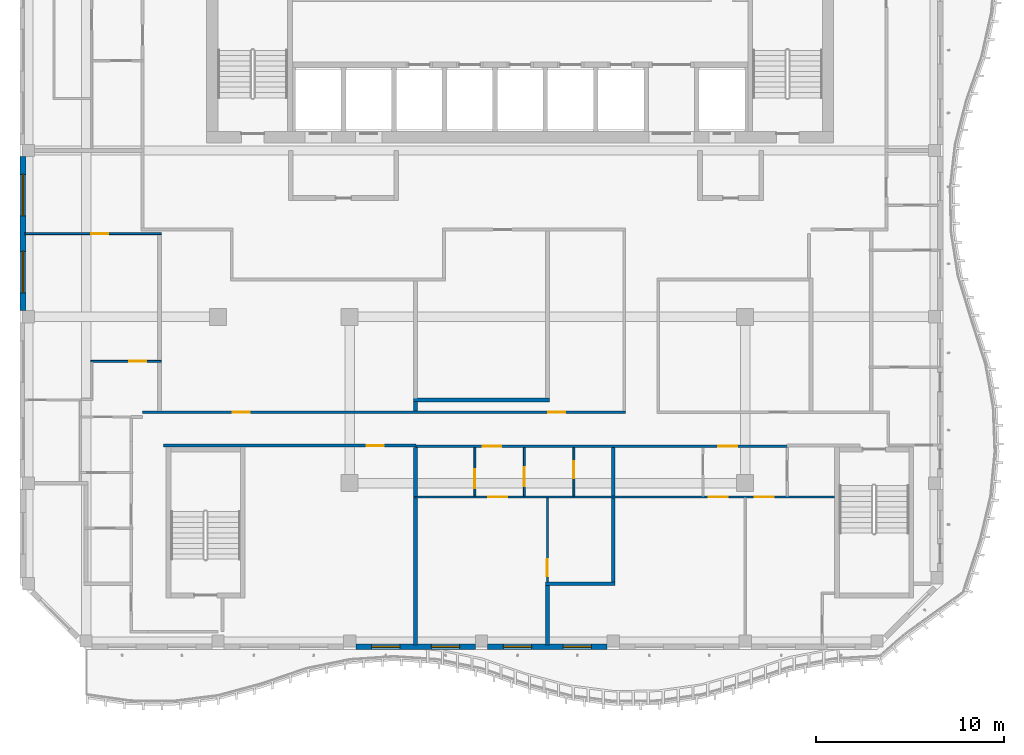
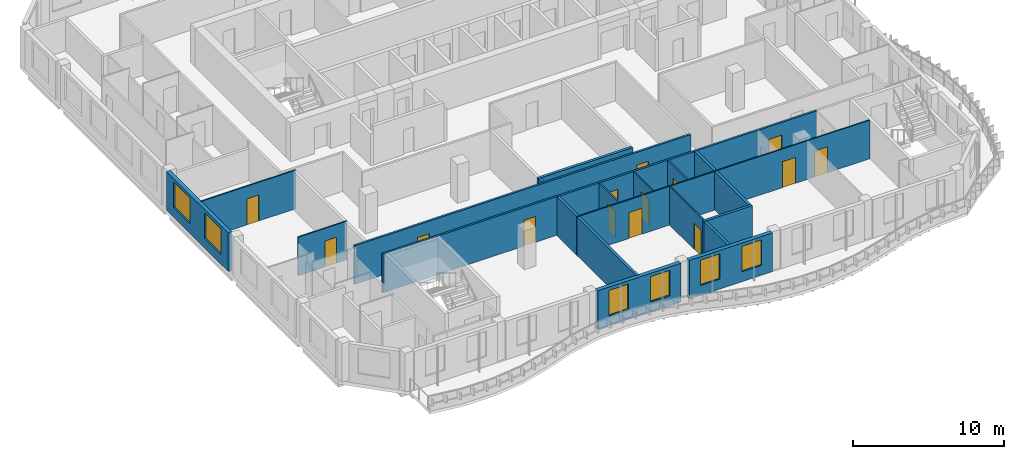
# One storey, part 3 of 17: 21 walls, 14 doors, 6 windows, 20 openings.
"""IFC4 building model written with IfcOpenShell, lengths in metres."""

import ifcopenshell
import ifcopenshell.guid

model = None  # the IFC model being written
_history = None  # IfcOwnerHistory: only IFC2X3 demands one
_inside = {}  # id of a spatial element -> (the spatial element, [elements in it])
_under = {}  # id of a project, library or spatial element -> (it, [spatial elements below it])
_declared = {}  # id of a project -> (the project, [libraries it declares])
_typed = {}  # id of a type object -> (the type object, [elements of that type])
_made_of = {}  # id of a material, layer set ... -> (it, [elements and type objects made of it])


def new_model(schema):
    """Start an empty IFC model of exactly this schema.

    Asked for "IFC4X3", IfcOpenShell would pick the latest addendum, in which some entities
    have other attributes; the version numbers below select the first issue.
    IFC2X3 requires an IfcOwnerHistory on every rooted entity: one is made here for all.
    """
    global model, _history
    if schema == "IFC4X3":
        model = ifcopenshell.file(schema_version=(4, 3, 0, 0))
    else:
        model = ifcopenshell.file(schema=schema)
    _inside.clear()
    _under.clear()
    _declared.clear()
    _typed.clear()
    _made_of.clear()
    _history = None
    if model.schema == "IFC2X3":
        org = make("IfcOrganization", Name="unknown")
        user = make(
            "IfcPersonAndOrganization",
            ThePerson=make("IfcPerson", FamilyName="unknown"),
            TheOrganization=org,
        )
        app = make(
            "IfcApplication",
            ApplicationDeveloper=org,
            Version="unknown",
            ApplicationFullName="unknown",
            ApplicationIdentifier="unknown",
        )
        _history = make(
            "IfcOwnerHistory",
            OwningUser=user,
            OwningApplication=app,
            ChangeAction="ADDED",
            CreationDate=0,
        )
    return model


def make(cls, **values):
    """One entity of the class cls with the attributes given. An attribute that is None is left unset."""
    return model.create_entity(
        cls, **{name: value for name, value in values.items() if value is not None}
    )


def rooted(cls, **values):
    """An entity with a GlobalId (a new one), such as an element, a storey or a relation."""
    return make(cls, GlobalId=ifcopenshell.guid.new(), OwnerHistory=_history, **values)


def si_unit(unit_type, name, prefix=None):
    """IfcSIUnit, for example si_unit("LENGTHUNIT", "METRE", prefix="MILLI")."""
    return make("IfcSIUnit", UnitType=unit_type, Prefix=prefix, Name=name)


def assignment(units):
    """IfcUnitAssignment: the units of a project."""
    return None if units is None else make("IfcUnitAssignment", Units=units)


def point(xyz):
    """IfcCartesianPoint."""
    return None if xyz is None else make("IfcCartesianPoint", Coordinates=xyz)


def direction(xyz):
    """IfcDirection."""
    return None if xyz is None else make("IfcDirection", DirectionRatios=xyz)


def frame(location, z_axis=None, x_axis=None):
    """IfcAxis2Placement3D, a coordinate frame: its origin and axes. An axis left out is left unset."""
    return make(
        "IfcAxis2Placement3D",
        Location=point(location),
        Axis=direction(z_axis),
        RefDirection=direction(x_axis),
    )


def frame_2d(location, x_axis=None):
    """IfcAxis2Placement2D, a coordinate frame in the plane: its origin and x axis."""
    return make(
        "IfcAxis2Placement2D", Location=point(location), RefDirection=direction(x_axis)
    )


def origin():
    """The frame at (0, 0, 0) with its axes left unset."""
    return frame((0.0, 0.0, 0.0))


def place(relative_to, where):
    """IfcLocalPlacement: puts the frame where relative to a parent placement (None: the world)."""
    return make(
        "IfcLocalPlacement", PlacementRelTo=relative_to, RelativePlacement=where
    )


def context(
    kind, dimensions, precision=None, world=None, true_north=None, identifier=None
):
    """IfcGeometricRepresentationContext, for example the 3D "Model" context."""
    return make(
        "IfcGeometricRepresentationContext",
        ContextIdentifier=identifier,
        ContextType=kind,
        CoordinateSpaceDimension=dimensions,
        Precision=precision,
        WorldCoordinateSystem=world,
        TrueNorth=true_north,
    )


def subcontext(parent, identifier, kind, view, scale=None):
    """IfcGeometricRepresentationSubContext, for example "Body" below "Model"."""
    return make(
        "IfcGeometricRepresentationSubContext",
        ContextIdentifier=identifier,
        ContextType=kind,
        ParentContext=parent,
        TargetScale=scale,
        TargetView=view,
    )


def project(units=None, contexts=None):
    """IfcProject with its units and contexts."""
    return rooted(
        "IfcProject",
        Name="project",
        RepresentationContexts=contexts,
        UnitsInContext=assignment(units),
    )


def spatial(cls, under=None, at=None, **own):
    """A site, building, storey or space (cls), placed at a placement, below another one or the project."""
    s = rooted(cls, ObjectPlacement=at, **own)
    if under is not None:
        _under.setdefault(under.id(), (under, []))[1].append(s)
    return s


def profile(cls, at=None, kind="AREA", **sizes):
    """A parametric profile (cls). Its sizes go by their IFC names, for example OverallWidth=200.0."""
    return make(cls, ProfileType=kind, Position=at, **sizes)


def rectangle(**sizes):
    """IfcRectangleProfileDef."""
    return profile("IfcRectangleProfileDef", **sizes)


def extrude(swept, where, along, depth):
    """IfcExtrudedAreaSolid: the profile swept, set in the frame where, extruded along a direction by depth."""
    return make(
        "IfcExtrudedAreaSolid",
        SweptArea=swept,
        Position=where,
        ExtrudedDirection=direction(along),
        Depth=depth,
    )


def shape(context_of_items, identifier, shape_type, items):
    """IfcShapeRepresentation: the items that make up one representation, for example the "Body"."""
    return make(
        "IfcShapeRepresentation",
        ContextOfItems=context_of_items,
        RepresentationIdentifier=identifier,
        RepresentationType=shape_type,
        Items=items,
    )


def source(mapping_origin, context_of_items, identifier, shape_type, items):
    """IfcRepresentationMap: a shape defined once, which mapped items show again and again."""
    return make(
        "IfcRepresentationMap",
        MappingOrigin=mapping_origin,
        MappedRepresentation=shape(context_of_items, identifier, shape_type, items),
    )


def transform(
    local_origin,
    x_axis=None,
    y_axis=None,
    z_axis=None,
    scale=None,
    scale2=None,
    scale3=None,
    uniform=True,
):
    """IfcCartesianTransformationOperator3D, or its non-uniform kind. x_axis, y_axis, z_axis: its Axis1, 2, 3."""
    if uniform:
        return make(
            "IfcCartesianTransformationOperator3D",
            Axis1=direction(x_axis),
            Axis2=direction(y_axis),
            LocalOrigin=point(local_origin),
            Scale=scale,
            Axis3=direction(z_axis),
        )
    return make(
        "IfcCartesianTransformationOperator3DnonUniform",
        Axis1=direction(x_axis),
        Axis2=direction(y_axis),
        LocalOrigin=point(local_origin),
        Scale=scale,
        Axis3=direction(z_axis),
        Scale2=scale2,
        Scale3=scale3,
    )


def mapped(mapping_source, mapping_target):
    """IfcMappedItem: shows the shape of a source again, moved by a transform."""
    return make(
        "IfcMappedItem", MappingSource=mapping_source, MappingTarget=mapping_target
    )


def material(Name=None, Category=None):
    """IfcMaterial."""
    return make("IfcMaterial", Name=Name, Category=Category)


def layer(
    of_material, thickness, ventilated=None, Name=None, Category=None, Priority=None
):
    """IfcMaterialLayer: one layer of a wall or slab, of a material (None: an air gap)."""
    return make(
        "IfcMaterialLayer",
        Material=of_material,
        LayerThickness=thickness,
        IsVentilated=ventilated,
        Name=Name,
        Category=Category,
        Priority=Priority,
    )


def layer_set(layers, Name=None):
    """IfcMaterialLayerSet."""
    return make("IfcMaterialLayerSet", MaterialLayers=layers, LayerSetName=Name)


def made_of(thing, what):
    """Note that an element or type object is made of a material, layer set ...; save() writes the relation."""
    if what is not None:
        _made_of.setdefault(what.id(), (what, []))[1].append(thing)
    return thing


def type_object(cls, material=None, **own):
    """A type object (cls), such as IfcWallType, which elements share."""
    return made_of(rooted(cls, **own), material)


def element(
    cls,
    number,
    at=None,
    inside=None,
    cuts=None,
    type_object=None,
    material=None,
    context=None,
    identifier="Body",
    shape_type=None,
    held_by="IfcProductDefinitionShape",
    body=None,
    shapes=None,
    **own,
):
    """One element of the class cls, such as IfcWall. Its Tag is "e" and its number.

    at: its placement. inside: the storey or other place that contains it. cuts: it is an
    opening in that element (IfcRelVoidsElement). A single representation is given by context,
    identifier, shape_type and body (its items); several are given by shapes. held_by: the class
    of the entity that holds the representations. save() writes the other relations.
    """
    e = rooted(cls, Tag="e%d" % number, ObjectPlacement=at, **own)
    if body is not None:
        shapes = [shape(context, identifier, shape_type, body)]
    if shapes is not None:
        e.Representation = make(held_by, Representations=shapes)
    if inside is not None:
        _inside.setdefault(inside.id(), (inside, []))[1].append(e)
    if cuts is not None:
        rooted(
            "IfcRelVoidsElement", RelatingBuildingElement=cuts, RelatedOpeningElement=e
        )
    if type_object is not None:
        _typed.setdefault(type_object.id(), (type_object, []))[1].append(e)
    return made_of(e, material)


def fill(opening, filler):
    """IfcRelFillsElement: the door or window that sits in an opening."""
    return rooted(
        "IfcRelFillsElement",
        RelatingOpeningElement=opening,
        RelatedBuildingElement=filler,
    )


def aggregate(whole, parts):
    """IfcRelAggregates: a whole, such as a stair, and the parts it consists of."""
    return rooted("IfcRelAggregates", RelatingObject=whole, RelatedObjects=parts)


def save(model, path):
    """Write the relations noted so far, then the file.

    IfcRelAggregates (storeys below a building ...), IfcRelContainedInSpatialStructure (elements
    in a storey), IfcRelDefinesByType, IfcRelAssociatesMaterial and IfcRelDeclares: one each for
    every whole, place, type object, material and project.
    """
    for whole, parts in _under.values():
        aggregate(whole, parts)
    for where, things in _inside.values():
        rooted(
            "IfcRelContainedInSpatialStructure",
            RelatedElements=things,
            RelatingStructure=where,
        )
    for kind, things in _typed.values():
        rooted("IfcRelDefinesByType", RelatedObjects=things, RelatingType=kind)
    for what, things in _made_of.values():
        rooted("IfcRelAssociatesMaterial", RelatedObjects=things, RelatingMaterial=what)
    for by, libraries in _declared.values():
        rooted("IfcRelDeclares", RelatingContext=by, RelatedDefinitions=libraries)
    model.write(path)


model = new_model("IFC4")

# Units and contexts
model_context = context("Model", 3, precision=1e-05, world=origin(), true_north=direction((0.0, 1.0)))
body_context = subcontext(model_context, "Body", "Model", "MODEL_VIEW")
ifc_project = project(units=[si_unit("LENGTHUNIT", "METRE"), si_unit("AREAUNIT", "SQUARE_METRE"), si_unit("VOLUMEUNIT", "CUBIC_METRE"), si_unit("PLANEANGLEUNIT", "RADIAN"), si_unit("MASSUNIT", "GRAM", prefix="KILO")], contexts=[model_context])

# Site, building, storey
site_placement = place(None, origin())
site = spatial("IfcSite", under=ifc_project, at=site_placement, CompositionType="ELEMENT")
building_placement = place(site_placement, origin())
building = spatial("IfcBuilding", under=site, at=building_placement, Name="Kilnfold Tower and Market Hall", CompositionType="ELEMENT")
storey_placement = place(building_placement, frame((0.0, 0.0, 273.800048828125)))
storey = spatial("IfcBuildingStorey", under=building, at=storey_placement, Name="L67", CompositionType="ELEMENT", Elevation=273.800048828125)

# Wall, openings, doors
ifc_material_1 = material(Name="Gypsum board on steel studs", Category="steel")
ifc_layer_1 = layer(ifc_material_1, 0.14990234375)
ifc_layer_set_1 = layer_set([ifc_layer_1], Name="Gypsum board on steel studs")
wall_type_1 = type_object("IfcWallType", Name="WALL CORRIDOR 150", PredefinedType="PARTITIONING", material=ifc_layer_set_1)
wall_1_placement = place(storey_placement, frame((-19.0, -5.89990234375, 0.0), z_axis=(0.0, 0.0, 1.0), x_axis=(1.0, 0.0, 0.0)))
wall_1 = element("IfcWall", 1, at=wall_1_placement, inside=storey, type_object=wall_type_1, Name="Partition LY41.6", PredefinedType="PARTITIONING", context=body_context, shape_type="SweptSolid", body=[
    extrude(rectangle(XDim=25.655029296875, YDim=0.14990234375, at=frame_2d((12.82763671875, 0.0))), origin(), (0.0, 0.0, 1.0), 3.119873046875),
])
opening_1_placement = place(wall_1_placement, frame((4.7958984375, 0.0, 0.0)))
opening_1 = element("IfcOpeningElement", 2, at=opening_1_placement, cuts=wall_1, Name="Opening D2", PredefinedType="OPENING", context=body_context, shape_type="SweptSolid", body=[
    extrude(rectangle(XDim=0.89990234375, YDim=2.10009765625, at=frame_2d((0.449951171875, 1.050048828125))), frame((0.0, 0.0849609375, 0.0), z_axis=(0.0, -1.0, 0.0), x_axis=(1.0, 0.0, 0.0)), (0.0, 0.0, 1.0), 0.169921875),
])
opening_2_placement = place(wall_1_placement, frame((21.534912109375, 0.0, 0.0)))
opening_2 = element("IfcOpeningElement", 3, at=opening_2_placement, cuts=wall_1, Name="Opening D2", PredefinedType="OPENING", context=body_context, shape_type="SweptSolid", body=[
    extrude(rectangle(XDim=0.89990234375, YDim=2.10009765625, at=frame_2d((0.449951171875, 1.050048828125))), frame((0.0, 0.0849609375, 0.0), z_axis=(0.0, -1.0, 0.0), x_axis=(1.0, 0.0, 0.0)), (0.0, 0.0, 1.0), 0.169921875),
])
ifc_material_2 = material(Name="Timber veneer door leaf in steel frame", Category="steel")
door_type_1 = type_object("IfcDoorType", Name="DOOR ROOM 900 X2100", OperationType="NOTDEFINED", PredefinedType="DOOR", material=ifc_material_2)
door_1_placement = place(opening_1_placement, origin())
door_1 = element("IfcDoor", 4, at=door_1_placement, inside=storey, type_object=door_type_1, Name="Door D2", OperationType="SINGLE_SWING_LEFT", OverallHeight=2.10009765625, OverallWidth=0.89990234375, PredefinedType="DOOR", context=body_context, shape_type="SweptSolid", body=[
    extrude(rectangle(XDim=0.89990234375, YDim=2.10009765625, at=frame_2d((0.449951171875, 1.050048828125))), frame((0.0, 0.02490234375, 0.0), z_axis=(0.0, -1.0, 0.0), x_axis=(1.0, 0.0, 0.0)), (0.0, 0.0, 1.0), 0.050048828125),
])
fill(opening_1, door_1)
door_2_placement = place(opening_2_placement, origin())
door_2 = element("IfcDoor", 5, at=door_2_placement, inside=storey, type_object=door_type_1, Name="Door D2", OperationType="SINGLE_SWING_LEFT", OverallHeight=2.10009765625, OverallWidth=0.89990234375, PredefinedType="DOOR", context=body_context, shape_type="SweptSolid", body=[
    extrude(rectangle(XDim=0.89990234375, YDim=2.10009765625, at=frame_2d((0.449951171875, 1.050048828125))), frame((0.0, 0.02490234375, 0.0), z_axis=(0.0, -1.0, 0.0), x_axis=(1.0, 0.0, 0.0)), (0.0, 0.0, 1.0), 0.050048828125),
])
fill(opening_2, door_2)

# Wall, opening, door
wall_2_placement = place(storey_placement, frame((-17.875, -7.669921875, 0.0), z_axis=(0.0, 0.0, 1.0), x_axis=(1.0, 0.0, 0.0)))
wall_2 = element("IfcWall", 6, at=wall_2_placement, inside=storey, type_object=wall_type_1, Name="Partition LY41.9", PredefinedType="PARTITIONING", context=body_context, shape_type="SweptSolid", body=[
    extrude(rectangle(XDim=13.385009765625, YDim=0.14990234375, at=frame_2d((6.6923828125, 0.0))), origin(), (0.0, 0.0, 1.0), 3.119873046875),
])
opening_3_placement = place(wall_2_placement, frame((10.77392578125, 0.0, 0.0)))
opening_3 = element("IfcOpeningElement", 7, at=opening_3_placement, cuts=wall_2, Name="Opening D2", PredefinedType="OPENING", context=body_context, shape_type="SweptSolid", body=[
    extrude(rectangle(XDim=0.89990234375, YDim=2.10009765625, at=frame_2d((0.449951171875, 1.050048828125))), frame((0.0, 0.0849609375, 0.0), z_axis=(0.0, -1.0, 0.0), x_axis=(1.0, 0.0, 0.0)), (0.0, 0.0, 1.0), 0.169921875),
])
door_3_placement = place(opening_3_placement, origin())
door_3 = element("IfcDoor", 8, at=door_3_placement, inside=storey, type_object=door_type_1, Name="Door D2", OperationType="SINGLE_SWING_RIGHT", OverallHeight=2.10009765625, OverallWidth=0.89990234375, PredefinedType="DOOR", context=body_context, shape_type="SweptSolid", body=[
    extrude(rectangle(XDim=0.89990234375, YDim=2.10009765625, at=frame_2d((0.449951171875, 1.050048828125))), frame((0.0, 0.02490234375, 0.0), z_axis=(0.0, -1.0, 0.0), x_axis=(1.0, 0.0, 0.0)), (0.0, 0.0, 1.0), 0.050048828125),
])
fill(opening_3, door_3)

# Wall, openings, doors
wall_3_placement = place(storey_placement, frame((-4.510009765625, -7.699951171875, 0.0), z_axis=(0.0, 0.0, 1.0), x_axis=(1.0, 0.0, 0.0)))
wall_3 = element("IfcWall", 9, at=wall_3_placement, inside=storey, type_object=wall_type_1, Name="Partition LY41.15", PredefinedType="PARTITIONING", context=body_context, shape_type="SweptSolid", body=[
    extrude(rectangle(XDim=19.760009765625, YDim=0.14990234375, at=frame_2d((9.8798828125, 0.0))), origin(), (0.0, 0.0, 1.0), 3.119873046875),
])
opening_4_placement = place(wall_3_placement, frame((3.56591796875, 0.0, 0.0)))
opening_4 = element("IfcOpeningElement", 10, at=opening_4_placement, cuts=wall_3, Name="Opening D1", PredefinedType="OPENING", context=body_context, shape_type="SweptSolid", body=[
    extrude(rectangle(XDim=1.0, YDim=2.10009765625, at=frame_2d((0.5, 1.050048828125))), frame((0.0, 0.0849609375, 0.0), z_axis=(0.0, -1.0, 0.0), x_axis=(1.0, 0.0, 0.0)), (0.0, 0.0, 1.0), 0.169921875),
])
opening_5_placement = place(wall_3_placement, frame((16.080078125, 0.0, 0.0)))
opening_5 = element("IfcOpeningElement", 11, at=opening_5_placement, cuts=wall_3, Name="Opening D1", PredefinedType="OPENING", context=body_context, shape_type="SweptSolid", body=[
    extrude(rectangle(XDim=1.0, YDim=2.10009765625, at=frame_2d((0.5, 1.050048828125))), frame((0.0, 0.0849609375, 0.0), z_axis=(0.0, -1.0, 0.0), x_axis=(1.0, 0.0, 0.0)), (0.0, 0.0, 1.0), 0.169921875),
])
ifc_material_3 = material(Name="Timber veneer door leaf in steel frame", Category="steel")
door_type_2 = type_object("IfcDoorType", Name="DOOR ENTRY 1000 X2100", OperationType="NOTDEFINED", PredefinedType="DOOR", material=ifc_material_3)
door_4_placement = place(opening_4_placement, origin())
door_4 = element("IfcDoor", 12, at=door_4_placement, inside=storey, type_object=door_type_2, Name="Door D1", OperationType="SINGLE_SWING_LEFT", OverallHeight=2.10009765625, OverallWidth=1.0, PredefinedType="DOOR", context=body_context, shape_type="SweptSolid", body=[
    extrude(rectangle(XDim=1.0, YDim=2.10009765625, at=frame_2d((0.5, 1.050048828125))), frame((0.0, 0.02490234375, 0.0), z_axis=(0.0, -1.0, 0.0), x_axis=(1.0, 0.0, 0.0)), (0.0, 0.0, 1.0), 0.050048828125),
])
fill(opening_4, door_4)
door_5_placement = place(opening_5_placement, origin())
door_5 = element("IfcDoor", 13, at=door_5_placement, inside=storey, type_object=door_type_2, Name="Door D1", OperationType="SINGLE_SWING_LEFT", OverallHeight=2.10009765625, OverallWidth=1.0, PredefinedType="DOOR", context=body_context, shape_type="SweptSolid", body=[
    extrude(rectangle(XDim=1.0, YDim=2.10009765625, at=frame_2d((0.5, 1.050048828125))), frame((0.0, 0.02490234375, 0.0), z_axis=(0.0, -1.0, 0.0), x_axis=(1.0, 0.0, 0.0)), (0.0, 0.0, 1.0), 0.050048828125),
])
fill(opening_5, door_5)

# Wall, opening, door
ifc_material_4 = material(Name="Gypsum board on steel studs", Category="steel")
ifc_layer_2 = layer(ifc_material_4, 0.10009765625)
ifc_layer_set_2 = layer_set([ifc_layer_2], Name="Gypsum board on steel studs")
wall_type_2 = type_object("IfcWallType", Name="WALL PARTITION 100", PredefinedType="PARTITIONING", material=ifc_layer_set_2)
wall_4_placement = place(storey_placement, frame((-18.0, -3.199951171875, 0.0), z_axis=(0.0, 0.0, 1.0), x_axis=(-1.0, 0.0, 0.0)))
wall_4 = element("IfcWall", 14, at=wall_4_placement, inside=storey, type_object=wall_type_2, Name="Partition LY41.48", PredefinedType="PARTITIONING", context=body_context, shape_type="SweptSolid", body=[
    extrude(rectangle(XDim=3.75, YDim=0.10009765625, at=frame_2d((1.875, 0.0))), origin(), (0.0, 0.0, 1.0), 3.119873046875),
])
opening_6_placement = place(wall_4_placement, frame((0.81201171875, 0.0, 0.0)))
opening_6 = element("IfcOpeningElement", 15, at=opening_6_placement, cuts=wall_4, Name="Opening D2", PredefinedType="OPENING", context=body_context, shape_type="SweptSolid", body=[
    extrude(rectangle(XDim=0.89990234375, YDim=2.10009765625, at=frame_2d((0.449951171875, 1.050048828125))), frame((0.0, 0.06005859375, 0.0), z_axis=(0.0, -1.0, 0.0), x_axis=(1.0, 0.0, 0.0)), (0.0, 0.0, 1.0), 0.1201171875),
])
door_6_placement = place(opening_6_placement, origin())
door_6 = element("IfcDoor", 16, at=door_6_placement, inside=storey, type_object=door_type_1, Name="Door D2", OperationType="SINGLE_SWING_LEFT", OverallHeight=2.10009765625, OverallWidth=0.89990234375, PredefinedType="DOOR", context=body_context, shape_type="SweptSolid", body=[
    extrude(rectangle(XDim=0.89990234375, YDim=2.10009765625, at=frame_2d((0.449951171875, 1.050048828125))), frame((0.0, 0.02490234375, 0.0), z_axis=(0.0, -1.0, 0.0), x_axis=(1.0, 0.0, 0.0)), (0.0, 0.0, 1.0), 0.050048828125),
])
fill(opening_6, door_6)

wall_5_placement = place(storey_placement, frame((-18.0, 3.5830078125, 0.0), z_axis=(0.0, 0.0, 1.0), x_axis=(-1.0, 0.0, 0.0)))
wall_5 = element("IfcWall", 17, at=wall_5_placement, inside=storey, type_object=wall_type_2, Name="Partition LY41.52", PredefinedType="PARTITIONING", context=body_context, shape_type="SweptSolid", body=[
    extrude(rectangle(XDim=7.25, YDim=0.10009765625, at=frame_2d((3.625, 0.0))), origin(), (0.0, 0.0, 1.0), 3.119873046875),
])
opening_7_placement = place(wall_5_placement, frame((2.822021484375, 0.0, 0.0)))
opening_7 = element("IfcOpeningElement", 18, at=opening_7_placement, cuts=wall_5, Name="Opening D2", PredefinedType="OPENING", context=body_context, shape_type="SweptSolid", body=[
    extrude(rectangle(XDim=0.89990234375, YDim=2.10009765625, at=frame_2d((0.449951171875, 1.050048828125))), frame((0.0, 0.06005859375, 0.0), z_axis=(0.0, -1.0, 0.0), x_axis=(1.0, 0.0, 0.0)), (0.0, 0.0, 1.0), 0.1201171875),
])
door_7_placement = place(opening_7_placement, origin())
door_7 = element("IfcDoor", 19, at=door_7_placement, inside=storey, type_object=door_type_1, Name="Door D2", OperationType="SINGLE_SWING_LEFT", OverallHeight=2.10009765625, OverallWidth=0.89990234375, PredefinedType="DOOR", context=body_context, shape_type="SweptSolid", body=[
    extrude(rectangle(XDim=0.89990234375, YDim=2.10009765625, at=frame_2d((0.449951171875, 1.050048828125))), frame((0.0, 0.02490234375, 0.0), z_axis=(0.0, -1.0, 0.0), x_axis=(1.0, 0.0, 0.0)), (0.0, 0.0, 1.0), 0.050048828125),
])
fill(opening_7, door_7)

wall_6_placement = place(storey_placement, frame((-1.35009765625, -10.35009765625, 0.0), z_axis=(0.0, 0.0, 1.0), x_axis=(0.0, 1.0, 0.0)))
wall_6 = element("IfcWall", 20, at=wall_6_placement, inside=storey, type_object=wall_type_2, Name="Partition LY41.57", PredefinedType="PARTITIONING", context=body_context, shape_type="SweptSolid", body=[
    extrude(rectangle(XDim=2.572998046875, YDim=0.10009765625, at=frame_2d((1.28662109375, 0.0))), origin(), (0.0, 0.0, 1.0), 3.119873046875),
])
opening_8_placement = place(wall_6_placement, frame((0.4130859375, 0.0, 0.0)))
opening_8 = element("IfcOpeningElement", 21, at=opening_8_placement, cuts=wall_6, Name="Opening D1", PredefinedType="OPENING", context=body_context, shape_type="SweptSolid", body=[
    extrude(rectangle(XDim=1.0, YDim=2.10009765625, at=frame_2d((0.5, 1.050048828125))), frame((0.0, 0.06005859375, 0.0), z_axis=(0.0, -1.0, 0.0), x_axis=(1.0, 0.0, 0.0)), (0.0, 0.0, 1.0), 0.1201171875),
])
door_8_placement = place(opening_8_placement, origin())
door_8 = element("IfcDoor", 22, at=door_8_placement, inside=storey, type_object=door_type_2, Name="Door D1", OperationType="SINGLE_SWING_RIGHT", OverallHeight=2.10009765625, OverallWidth=1.0, PredefinedType="DOOR", context=body_context, shape_type="SweptSolid", body=[
    extrude(rectangle(XDim=1.0, YDim=2.10009765625, at=frame_2d((0.5, 1.050048828125))), frame((0.0, 0.02490234375, 0.0), z_axis=(0.0, -1.0, 0.0), x_axis=(1.0, 0.0, 0.0)), (0.0, 0.0, 1.0), 0.050048828125),
])
fill(opening_8, door_8)

# Wall, openings, doors
wall_7_placement = place(storey_placement, frame((-4.60009765625, -10.39990234375, 0.0), z_axis=(0.0, 0.0, 1.0), x_axis=(1.0, 0.0, 0.0)))
wall_7 = element("IfcWall", 23, at=wall_7_placement, inside=storey, type_object=wall_type_2, Name="Partition LY41.58", PredefinedType="PARTITIONING", context=body_context, shape_type="SweptSolid", body=[
    extrude(rectangle(XDim=22.35009765625, YDim=0.10009765625, at=frame_2d((11.175048828125, 0.0))), origin(), (0.0, 0.0, 1.0), 3.119873046875),
])
opening_9_placement = place(wall_7_placement, frame((3.9599609375, 0.0, 0.0)))
opening_9 = element("IfcOpeningElement", 24, at=opening_9_placement, cuts=wall_7, Name="Opening D1", PredefinedType="OPENING", context=body_context, shape_type="SweptSolid", body=[
    extrude(rectangle(XDim=1.0, YDim=2.10009765625, at=frame_2d((0.5, 1.050048828125))), frame((0.0, 0.06005859375, 0.0), z_axis=(0.0, -1.0, 0.0), x_axis=(1.0, 0.0, 0.0)), (0.0, 0.0, 1.0), 0.1201171875),
])
opening_10_placement = place(wall_7_placement, frame((15.666015625, 0.0, 0.0)))
opening_10 = element("IfcOpeningElement", 25, at=opening_10_placement, cuts=wall_7, Name="Opening D1", PredefinedType="OPENING", context=body_context, shape_type="SweptSolid", body=[
    extrude(rectangle(XDim=1.0, YDim=2.10009765625, at=frame_2d((0.5, 1.050048828125))), frame((0.0, 0.06005859375, 0.0), z_axis=(0.0, -1.0, 0.0), x_axis=(1.0, 0.0, 0.0)), (0.0, 0.0, 1.0), 0.1201171875),
])
opening_11_placement = place(wall_7_placement, frame((18.10888671875, 0.0, 0.0)))
opening_11 = element("IfcOpeningElement", 26, at=opening_11_placement, cuts=wall_7, Name="Opening D1", PredefinedType="OPENING", context=body_context, shape_type="SweptSolid", body=[
    extrude(rectangle(XDim=1.0, YDim=2.10009765625, at=frame_2d((0.5, 1.050048828125))), frame((0.0, 0.06005859375, 0.0), z_axis=(0.0, -1.0, 0.0), x_axis=(1.0, 0.0, 0.0)), (0.0, 0.0, 1.0), 0.1201171875),
])
door_9_placement = place(opening_9_placement, origin())
door_9 = element("IfcDoor", 27, at=door_9_placement, inside=storey, type_object=door_type_2, Name="Door D1", OperationType="SINGLE_SWING_RIGHT", OverallHeight=2.10009765625, OverallWidth=1.0, PredefinedType="DOOR", context=body_context, shape_type="SweptSolid", body=[
    extrude(rectangle(XDim=1.0, YDim=2.10009765625, at=frame_2d((0.5, 1.050048828125))), frame((0.0, 0.02490234375, 0.0), z_axis=(0.0, -1.0, 0.0), x_axis=(1.0, 0.0, 0.0)), (0.0, 0.0, 1.0), 0.050048828125),
])
fill(opening_9, door_9)
door_10_placement = place(opening_10_placement, origin())
door_10 = element("IfcDoor", 28, at=door_10_placement, inside=storey, type_object=door_type_2, Name="Door D1", OperationType="SINGLE_SWING_RIGHT", OverallHeight=2.10009765625, OverallWidth=1.0, PredefinedType="DOOR", context=body_context, shape_type="SweptSolid", body=[
    extrude(rectangle(XDim=1.0, YDim=2.10009765625, at=frame_2d((0.5, 1.050048828125))), frame((0.0, 0.02490234375, 0.0), z_axis=(0.0, -1.0, 0.0), x_axis=(1.0, 0.0, 0.0)), (0.0, 0.0, 1.0), 0.050048828125),
])
fill(opening_10, door_10)
door_11_placement = place(opening_11_placement, origin())
door_11 = element("IfcDoor", 29, at=door_11_placement, inside=storey, type_object=door_type_2, Name="Door D1", OperationType="SINGLE_SWING_RIGHT", OverallHeight=2.10009765625, OverallWidth=1.0, PredefinedType="DOOR", context=body_context, shape_type="SweptSolid", body=[
    extrude(rectangle(XDim=1.0, YDim=2.10009765625, at=frame_2d((0.5, 1.050048828125))), frame((0.0, 0.02490234375, 0.0), z_axis=(0.0, -1.0, 0.0), x_axis=(1.0, 0.0, 0.0)), (0.0, 0.0, 1.0), 0.050048828125),
])
fill(opening_11, door_11)

# Wall, opening, door
wall_8_placement = place(storey_placement, frame((1.27490234375, -10.35009765625, 0.0), z_axis=(0.0, 0.0, 1.0), x_axis=(0.0, 1.0, 0.0)))
wall_8 = element("IfcWall", 30, at=wall_8_placement, inside=storey, type_object=wall_type_2, Name="Partition LY41.59", PredefinedType="PARTITIONING", context=body_context, shape_type="SweptSolid", body=[
    extrude(rectangle(XDim=2.572998046875, YDim=0.10009765625, at=frame_2d((1.28662109375, 0.0))), origin(), (0.0, 0.0, 1.0), 3.119873046875),
])
opening_12_placement = place(wall_8_placement, frame((0.52001953125, 0.0, 0.0)))
opening_12 = element("IfcOpeningElement", 31, at=opening_12_placement, cuts=wall_8, Name="Opening D1", PredefinedType="OPENING", context=body_context, shape_type="SweptSolid", body=[
    extrude(rectangle(XDim=1.0, YDim=2.10009765625, at=frame_2d((0.5, 1.050048828125))), frame((0.0, 0.06005859375, 0.0), z_axis=(0.0, -1.0, 0.0), x_axis=(1.0, 0.0, 0.0)), (0.0, 0.0, 1.0), 0.1201171875),
])
door_12_placement = place(opening_12_placement, origin())
door_12 = element("IfcDoor", 32, at=door_12_placement, inside=storey, type_object=door_type_2, Name="Door D1", OperationType="SINGLE_SWING_RIGHT", OverallHeight=2.10009765625, OverallWidth=1.0, PredefinedType="DOOR", context=body_context, shape_type="SweptSolid", body=[
    extrude(rectangle(XDim=1.0, YDim=2.10009765625, at=frame_2d((0.5, 1.050048828125))), frame((0.0, 0.02490234375, 0.0), z_axis=(0.0, -1.0, 0.0), x_axis=(1.0, 0.0, 0.0)), (0.0, 0.0, 1.0), 0.050048828125),
])
fill(opening_12, door_12)

wall_9_placement = place(storey_placement, frame((3.89990234375, -10.35009765625, 0.0), z_axis=(0.0, 0.0, 1.0), x_axis=(0.0, 1.0, 0.0)))
wall_9 = element("IfcWall", 33, at=wall_9_placement, inside=storey, type_object=wall_type_2, Name="Partition LY41.60", PredefinedType="PARTITIONING", context=body_context, shape_type="SweptSolid", body=[
    extrude(rectangle(XDim=2.572998046875, YDim=0.10009765625, at=frame_2d((1.28662109375, 0.0))), origin(), (0.0, 0.0, 1.0), 3.119873046875),
])
opening_13_placement = place(wall_9_placement, frame((0.943115234375, 0.0, 0.0)))
opening_13 = element("IfcOpeningElement", 34, at=opening_13_placement, cuts=wall_9, Name="Opening D2", PredefinedType="OPENING", context=body_context, shape_type="SweptSolid", body=[
    extrude(rectangle(XDim=0.89990234375, YDim=2.10009765625, at=frame_2d((0.449951171875, 1.050048828125))), frame((0.0, 0.06005859375, 0.0), z_axis=(0.0, -1.0, 0.0), x_axis=(1.0, 0.0, 0.0)), (0.0, 0.0, 1.0), 0.1201171875),
])
door_13_placement = place(opening_13_placement, origin())
door_13 = element("IfcDoor", 35, at=door_13_placement, inside=storey, type_object=door_type_1, Name="Door D2", OperationType="SINGLE_SWING_RIGHT", OverallHeight=2.10009765625, OverallWidth=0.89990234375, PredefinedType="DOOR", context=body_context, shape_type="SweptSolid", body=[
    extrude(rectangle(XDim=0.89990234375, YDim=2.10009765625, at=frame_2d((0.449951171875, 1.050048828125))), frame((0.0, 0.02490234375, 0.0), z_axis=(0.0, -1.0, 0.0), x_axis=(1.0, 0.0, 0.0)), (0.0, 0.0, 1.0), 0.050048828125),
])
fill(opening_13, door_13)

wall_10_placement = place(storey_placement, frame((2.5, -14.909912109375, 0.0), z_axis=(0.0, 0.0, 1.0), x_axis=(0.0, 1.0, 0.0)))
wall_10 = element("IfcWall", 36, at=wall_10_placement, inside=storey, type_object=wall_type_2, Name="Partition LY41.62", PredefinedType="PARTITIONING", context=body_context, shape_type="SweptSolid", body=[
    extrude(rectangle(XDim=4.4580078125, YDim=0.10009765625, at=frame_2d((2.22900390625, 0.0))), origin(), (0.0, 0.0, 1.0), 3.119873046875),
])
opening_14_placement = place(wall_10_placement, frame((0.302001953125, 0.0, 0.0)))
opening_14 = element("IfcOpeningElement", 37, at=opening_14_placement, cuts=wall_10, Name="Opening D2", PredefinedType="OPENING", context=body_context, shape_type="SweptSolid", body=[
    extrude(rectangle(XDim=0.89990234375, YDim=2.10009765625, at=frame_2d((0.449951171875, 1.050048828125))), frame((0.0, 0.06005859375, 0.0), z_axis=(0.0, -1.0, 0.0), x_axis=(1.0, 0.0, 0.0)), (0.0, 0.0, 1.0), 0.1201171875),
])
door_14_placement = place(opening_14_placement, origin())
door_14 = element("IfcDoor", 38, at=door_14_placement, inside=storey, type_object=door_type_1, Name="Door D2", OperationType="SINGLE_SWING_RIGHT", OverallHeight=2.10009765625, OverallWidth=0.89990234375, PredefinedType="DOOR", context=body_context, shape_type="SweptSolid", body=[
    extrude(rectangle(XDim=0.89990234375, YDim=2.10009765625, at=frame_2d((0.449951171875, 1.050048828125))), frame((0.0, 0.02490234375, 0.0), z_axis=(0.0, -1.0, 0.0), x_axis=(1.0, 0.0, 0.0)), (0.0, 0.0, 1.0), 0.050048828125),
])
fill(opening_14, door_14)

# Walls
ifc_material_5 = material(Name="Gypsum board on steel studs", Category="steel")
ifc_layer_3 = layer(ifc_material_5, 0.199951171875)
ifc_layer_set_3 = layer_set([ifc_layer_3], Name="Gypsum board on steel studs")
wall_type_3 = type_object("IfcWallType", Name="WALL PARTY 200", PredefinedType="PARTITIONING", material=ifc_layer_set_3)
wall_11_placement = place(storey_placement, frame((-4.5, -10.360107421875, 0.0), z_axis=(0.0, 0.0, 1.0), x_axis=(0.0, 1.0, 0.0)))
element("IfcWall", 39, at=wall_11_placement, inside=storey, type_object=wall_type_3, Name="Partition LY41.55", PredefinedType="PARTITIONING", context=body_context, shape_type="SweptSolid", body=[
    extrude(rectangle(XDim=2.5830078125, YDim=0.199951171875, at=frame_2d((1.29150390625, 0.0))), origin(), (0.0, 0.0, 1.0), 3.119873046875),
])
wall_12_placement = place(storey_placement, frame((-4.5, -18.25, 0.0), z_axis=(0.0, 0.0, 1.0), x_axis=(0.0, 1.0, 0.0)))
element("IfcWall", 40, at=wall_12_placement, inside=storey, type_object=wall_type_3, Name="Partition LY41.56", PredefinedType="PARTITIONING", context=body_context, shape_type="SweptSolid", body=[
    extrude(rectangle(XDim=7.80810546875, YDim=0.199951171875, at=frame_2d((3.904052734375, 0.0))), origin(), (0.0, 0.0, 1.0), 3.119873046875),
])
wall_13_placement = place(storey_placement, frame((6.0, -10.35009765625, 0.0), z_axis=(0.0, 0.0, 1.0), x_axis=(0.0, 1.0, 0.0)))
element("IfcWall", 41, at=wall_13_placement, inside=storey, type_object=wall_type_3, Name="Partition LY41.61", PredefinedType="PARTITIONING", context=body_context, shape_type="SweptSolid", body=[
    extrude(rectangle(XDim=2.572998046875, YDim=0.199951171875, at=frame_2d((1.28662109375, 0.0))), origin(), (0.0, 0.0, 1.0), 3.119873046875),
])
wall_14_placement = place(storey_placement, frame((2.5, -18.25, 0.0), z_axis=(0.0, 0.0, 1.0), x_axis=(0.0, 1.0, 0.0)))
element("IfcWall", 42, at=wall_14_placement, inside=storey, type_object=wall_type_3, Name="Partition LY41.63", PredefinedType="PARTITIONING", context=body_context, shape_type="SweptSolid", body=[
    extrude(rectangle(XDim=3.159912109375, YDim=0.199951171875, at=frame_2d((1.580078125, 0.0))), origin(), (0.0, 0.0, 1.0), 3.119873046875),
])
wall_15_placement = place(storey_placement, frame((2.39990234375, -15.0, 0.0), z_axis=(0.0, 0.0, 1.0), x_axis=(1.0, 0.0, 0.0)))
element("IfcWall", 43, at=wall_15_placement, inside=storey, type_object=wall_type_3, Name="Partition LY41.64", PredefinedType="PARTITIONING", context=body_context, shape_type="SweptSolid", body=[
    extrude(rectangle(XDim=3.7001953125, YDim=0.199951171875, at=frame_2d((1.85009765625, 0.0))), origin(), (0.0, 0.0, 1.0), 3.119873046875),
])
wall_16_placement = place(storey_placement, frame((6.0, -14.89990234375, 0.0), z_axis=(0.0, 0.0, 1.0), x_axis=(0.0, 1.0, 0.0)))
element("IfcWall", 44, at=wall_16_placement, inside=storey, type_object=wall_type_3, Name="Partition LY41.65", PredefinedType="PARTITIONING", context=body_context, shape_type="SweptSolid", body=[
    extrude(rectangle(XDim=4.447998046875, YDim=0.199951171875, at=frame_2d((2.22412109375, 0.0))), origin(), (0.0, 0.0, 1.0), 3.119873046875),
])
wall_17_placement = place(storey_placement, frame((-4.5, -5.822998046875, 0.0), z_axis=(0.0, 0.0, 1.0), x_axis=(0.0, 1.0, 0.0)))
element("IfcWall", 45, at=wall_17_placement, inside=storey, type_object=wall_type_3, Name="Partition LY41.96", PredefinedType="PARTITIONING", context=body_context, shape_type="SweptSolid", body=[
    extrude(rectangle(XDim=0.48291015625, YDim=0.199951171875, at=frame_2d((0.241455078125, 0.0))), origin(), (0.0, 0.0, 1.0), 3.119873046875),
])
wall_18_placement = place(storey_placement, frame((-4.60009765625, -5.25, 0.0), z_axis=(0.0, 0.0, 1.0), x_axis=(1.0, 0.0, 0.0)))
element("IfcWall", 46, at=wall_18_placement, inside=storey, type_object=wall_type_3, Name="Partition LY41.98", PredefinedType="PARTITIONING", context=body_context, shape_type="SweptSolid", body=[
    extrude(rectangle(XDim=7.2001953125, YDim=0.199951171875, at=frame_2d((3.60009765625, 0.0))), origin(), (0.0, 0.0, 1.0), 3.119873046875),
])

# Wall, openings, windows
ifc_material_6 = material(Name="Precast concrete C50/60", Category="concrete")
ifc_layer_4 = layer(ifc_material_6, 0.300048828125)
ifc_layer_set_4 = layer_set([ifc_layer_4], Name="Precast concrete C50/60")
wall_type_4 = type_object("IfcWallType", Name="PRECAST WALL 300", PredefinedType="SOLIDWALL", material=ifc_layer_set_4)
shared_shape_1 = source(origin(), body_context, "Body", "SweptSolid", [
    extrude(rectangle(XDim=6.35009765625, YDim=0.300048828125, at=frame_2d((3.175048828125, 0.0))), origin(), (0.0, 0.0, 1.0), 3.119873046875),
])
wall_19_placement = place(storey_placement, frame((-7.675048828125, -18.35009765625, 0.0), z_axis=(0.0, 0.0, 1.0), x_axis=(1.0, 0.0, 0.0)))
wall_19 = element("IfcWall", 47, at=wall_19_placement, inside=storey, type_object=wall_type_4, Name="External wall L67 S", PredefinedType="SOLIDWALL", context=body_context, shape_type="MappedRepresentation", body=[
    mapped(shared_shape_1, transform((0.0, 0.0, 0.0))),
])
opening_15_placement = place(wall_19_placement, frame((0.83740234375, 0.0, 0.800048828125)))
opening_15 = element("IfcOpeningElement", 48, at=opening_15_placement, cuts=wall_19, Name="Opening W5", PredefinedType="OPENING", context=body_context, shape_type="SweptSolid", body=[
    extrude(rectangle(XDim=1.5, YDim=2.050048828125, at=frame_2d((0.75, 1.02490234375))), frame((0.0, 0.16015625, 0.0), z_axis=(0.0, -1.0, 0.0), x_axis=(1.0, 0.0, 0.0)), (0.0, 0.0, 1.0), 0.320068359375),
])
opening_16_placement = place(wall_19_placement, frame((4.012451171875, 0.0, 0.800048828125)))
opening_16 = element("IfcOpeningElement", 49, at=opening_16_placement, cuts=wall_19, Name="Opening W5", PredefinedType="OPENING", context=body_context, shape_type="SweptSolid", body=[
    extrude(rectangle(XDim=1.5, YDim=2.050048828125, at=frame_2d((0.75, 1.02490234375))), frame((0.0, 0.16015625, 0.0), z_axis=(0.0, -1.0, 0.0), x_axis=(1.0, 0.0, 0.0)), (0.0, 0.0, 1.0), 0.320068359375),
])
ifc_material_7 = material(Name="Aluminium frame and double glazing", Category="aluminium")
window_type_1 = type_object("IfcWindowType", Name="WINDOW W5 1500X2050", PartitioningType="SINGLE_PANEL", PredefinedType="WINDOW", material=ifc_material_7)
window_1_placement = place(opening_15_placement, origin())
window_1 = element("IfcWindow", 50, at=window_1_placement, inside=storey, type_object=window_type_1, Name="Window W5 L67 S-1", OverallHeight=2.050048828125, OverallWidth=1.5, PartitioningType="SINGLE_PANEL", PredefinedType="WINDOW", context=body_context, shape_type="SweptSolid", body=[
    extrude(rectangle(XDim=1.5, YDim=2.050048828125, at=frame_2d((0.75, 1.02490234375))), frame((0.0, 0.030029296875, 0.0), z_axis=(0.0, -1.0, 0.0), x_axis=(1.0, 0.0, 0.0)), (0.0, 0.0, 1.0), 0.06005859375),
])
fill(opening_15, window_1)
window_2_placement = place(opening_16_placement, origin())
window_2 = element("IfcWindow", 51, at=window_2_placement, inside=storey, type_object=window_type_1, Name="Window W5 L67 S-2", OverallHeight=2.050048828125, OverallWidth=1.5, PartitioningType="SINGLE_PANEL", PredefinedType="WINDOW", context=body_context, shape_type="SweptSolid", body=[
    extrude(rectangle(XDim=1.5, YDim=2.050048828125, at=frame_2d((0.75, 1.02490234375))), frame((0.0, 0.030029296875, 0.0), z_axis=(0.0, -1.0, 0.0), x_axis=(1.0, 0.0, 0.0)), (0.0, 0.0, 1.0), 0.06005859375),
])
fill(opening_16, window_2)

wall_20_placement = place(storey_placement, frame((-0.675048828125, -18.35009765625, 0.0), z_axis=(0.0, 0.0, 1.0), x_axis=(1.0, 0.0, 0.0)))
wall_20 = element("IfcWall", 52, at=wall_20_placement, inside=storey, type_object=wall_type_4, Name="External wall L67 S", PredefinedType="SOLIDWALL", context=body_context, shape_type="MappedRepresentation", body=[
    mapped(shared_shape_1, transform((0.0, 0.0, 0.0))),
])
opening_17_placement = place(wall_20_placement, frame((0.83740234375, 0.0, 0.800048828125)))
opening_17 = element("IfcOpeningElement", 53, at=opening_17_placement, cuts=wall_20, Name="Opening W5", PredefinedType="OPENING", context=body_context, shape_type="SweptSolid", body=[
    extrude(rectangle(XDim=1.5, YDim=2.050048828125, at=frame_2d((0.75, 1.02490234375))), frame((0.0, 0.16015625, 0.0), z_axis=(0.0, -1.0, 0.0), x_axis=(1.0, 0.0, 0.0)), (0.0, 0.0, 1.0), 0.320068359375),
])
opening_18_placement = place(wall_20_placement, frame((4.012451171875, 0.0, 0.800048828125)))
opening_18 = element("IfcOpeningElement", 54, at=opening_18_placement, cuts=wall_20, Name="Opening W5", PredefinedType="OPENING", context=body_context, shape_type="SweptSolid", body=[
    extrude(rectangle(XDim=1.5, YDim=2.050048828125, at=frame_2d((0.75, 1.02490234375))), frame((0.0, 0.16015625, 0.0), z_axis=(0.0, -1.0, 0.0), x_axis=(1.0, 0.0, 0.0)), (0.0, 0.0, 1.0), 0.320068359375),
])
window_3_placement = place(opening_17_placement, origin())
window_3 = element("IfcWindow", 55, at=window_3_placement, inside=storey, type_object=window_type_1, Name="Window W5 L67 S-1", OverallHeight=2.050048828125, OverallWidth=1.5, PartitioningType="SINGLE_PANEL", PredefinedType="WINDOW", context=body_context, shape_type="SweptSolid", body=[
    extrude(rectangle(XDim=1.5, YDim=2.050048828125, at=frame_2d((0.75, 1.02490234375))), frame((0.0, 0.030029296875, 0.0), z_axis=(0.0, -1.0, 0.0), x_axis=(1.0, 0.0, 0.0)), (0.0, 0.0, 1.0), 0.06005859375),
])
fill(opening_17, window_3)
window_4_placement = place(opening_18_placement, origin())
window_4 = element("IfcWindow", 56, at=window_4_placement, inside=storey, type_object=window_type_1, Name="Window W5 L67 S-2", OverallHeight=2.050048828125, OverallWidth=1.5, PartitioningType="SINGLE_PANEL", PredefinedType="WINDOW", context=body_context, shape_type="SweptSolid", body=[
    extrude(rectangle(XDim=1.5, YDim=2.050048828125, at=frame_2d((0.75, 1.02490234375))), frame((0.0, 0.030029296875, 0.0), z_axis=(0.0, -1.0, 0.0), x_axis=(1.0, 0.0, 0.0)), (0.0, 0.0, 1.0), 0.06005859375),
])
fill(opening_18, window_4)

shared_shape_2 = source(origin(), body_context, "Body", "SweptSolid", [
    extrude(rectangle(XDim=8.183349609375, YDim=0.300048828125, at=frame_2d((4.091796875, 0.0))), origin(), (0.0, 0.0, 1.0), 3.119873046875),
])
wall_21_placement = place(storey_placement, frame((-25.35009765625, 7.675048828125, 0.0), z_axis=(0.0, 0.0, 1.0), x_axis=(0.0, -1.0, 0.0)))
wall_21 = element("IfcWall", 57, at=wall_21_placement, inside=storey, type_object=wall_type_4, Name="External wall L67 W", PredefinedType="SOLIDWALL", context=body_context, shape_type="MappedRepresentation", body=[
    mapped(shared_shape_2, transform((0.0, 0.0, 0.0))),
])
opening_19_placement = place(wall_21_placement, frame((0.94580078125, 0.0, 0.800048828125)))
opening_19 = element("IfcOpeningElement", 58, at=opening_19_placement, cuts=wall_21, Name="Opening W3", PredefinedType="OPENING", context=body_context, shape_type="SweptSolid", body=[
    extrude(rectangle(XDim=2.199951171875, YDim=2.050048828125, at=frame_2d((1.10009765625, 1.02490234375))), frame((0.0, 0.16015625, 0.0), z_axis=(0.0, -1.0, 0.0), x_axis=(1.0, 0.0, 0.0)), (0.0, 0.0, 1.0), 0.320068359375),
])
opening_20_placement = place(wall_21_placement, frame((5.037353515625, 0.0, 0.800048828125)))
opening_20 = element("IfcOpeningElement", 59, at=opening_20_placement, cuts=wall_21, Name="Opening W3", PredefinedType="OPENING", context=body_context, shape_type="SweptSolid", body=[
    extrude(rectangle(XDim=2.199951171875, YDim=2.050048828125, at=frame_2d((1.10009765625, 1.02490234375))), frame((0.0, 0.16015625, 0.0), z_axis=(0.0, -1.0, 0.0), x_axis=(1.0, 0.0, 0.0)), (0.0, 0.0, 1.0), 0.320068359375),
])
ifc_material_8 = material(Name="Aluminium frame and double glazing", Category="aluminium")
window_type_2 = type_object("IfcWindowType", Name="WINDOW W3 2200X2050", PartitioningType="SINGLE_PANEL", PredefinedType="WINDOW", material=ifc_material_8)
window_5_placement = place(opening_19_placement, origin())
window_5 = element("IfcWindow", 60, at=window_5_placement, inside=storey, type_object=window_type_2, Name="Window W3 L67 W-1", OverallHeight=2.050048828125, OverallWidth=2.199951171875, PartitioningType="SINGLE_PANEL", PredefinedType="WINDOW", context=body_context, shape_type="SweptSolid", body=[
    extrude(rectangle(XDim=2.199951171875, YDim=2.050048828125, at=frame_2d((1.10009765625, 1.02490234375))), frame((0.0, 0.030029296875, 0.0), z_axis=(0.0, -1.0, 0.0), x_axis=(1.0, 0.0, 0.0)), (0.0, 0.0, 1.0), 0.06005859375),
])
fill(opening_19, window_5)
window_6_placement = place(opening_20_placement, origin())
window_6 = element("IfcWindow", 61, at=window_6_placement, inside=storey, type_object=window_type_2, Name="Window W3 L67 W-2", OverallHeight=2.050048828125, OverallWidth=2.199951171875, PartitioningType="SINGLE_PANEL", PredefinedType="WINDOW", context=body_context, shape_type="SweptSolid", body=[
    extrude(rectangle(XDim=2.199951171875, YDim=2.050048828125, at=frame_2d((1.10009765625, 1.02490234375))), frame((0.0, 0.030029296875, 0.0), z_axis=(0.0, -1.0, 0.0), x_axis=(1.0, 0.0, 0.0)), (0.0, 0.0, 1.0), 0.06005859375),
])
fill(opening_20, window_6)

save(model, "model.ifc")
